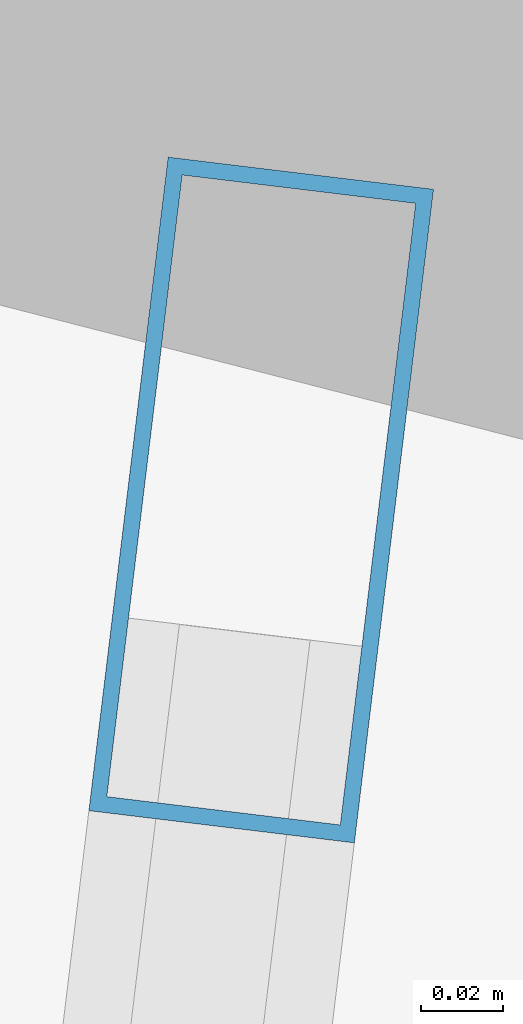
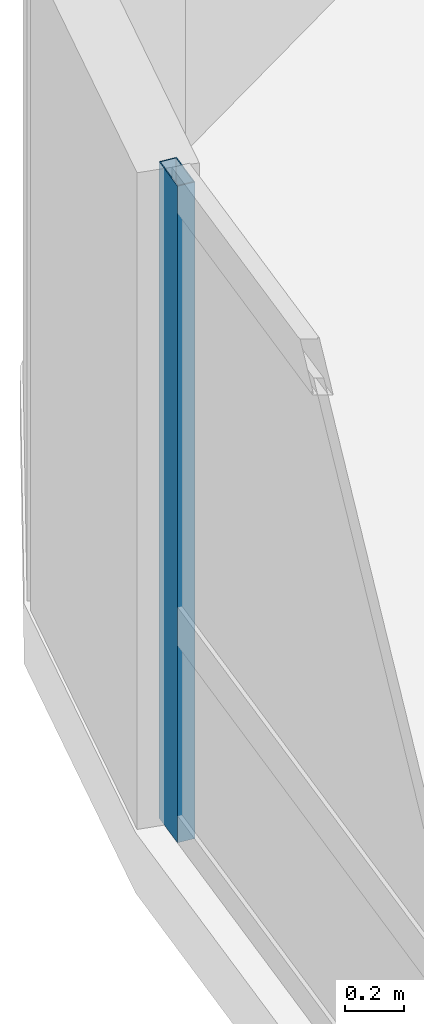
# One storey, part 12 of 26: 1 member, 1 element without a shape of its own.
"""IFC4 building model written with IfcOpenShell, lengths in metres."""

from ifc_helpers import new_model, si_unit, direction, frame, origin, origin_2d, place, context, subcontext, project, spatial, hollow_rectangle, extrude, material, layer, layer_set, material_profile, profile_set, type_object, element, aggregate, save


model = new_model("IFC4")

# Units and contexts
model_context = context("Model", 3, precision=1e-05, world=origin(), true_north=direction((0.0, 1.0)))
body_context = subcontext(model_context, "Body", "Model", "MODEL_VIEW")
ifc_project = project(units=[si_unit("LENGTHUNIT", "METRE"), si_unit("AREAUNIT", "SQUARE_METRE"), si_unit("VOLUMEUNIT", "CUBIC_METRE"), si_unit("PLANEANGLEUNIT", "RADIAN"), si_unit("MASSUNIT", "GRAM", prefix="KILO")], contexts=[model_context])

# Site, building, storey
site_placement = place(None, origin())
site = spatial("IfcSite", under=ifc_project, at=site_placement, CompositionType="ELEMENT")
building_placement = place(site_placement, origin())
building = spatial("IfcBuilding", under=site, at=building_placement, Name="Varnelok Gate Tower", CompositionType="ELEMENT")
storey_placement = place(building_placement, frame((0.0, 0.0, 125.39990234375)))
storey = spatial("IfcBuildingStorey", under=building, at=storey_placement, Name="L31", CompositionType="ELEMENT", Elevation=125.39990234375)

# Curtain wall, member
ifc_material = material(Name="Anodized Aluminum Alloy 6063-T6", Category="aluminium")
ifc_layer = layer(ifc_material, 0.179931640625)
ifc_layer_set = layer_set([ifc_layer], Name="Anodized Aluminum Alloy 6063-T6")
curtain_wall_type = type_object("IfcCurtainWallType", Name="CW3-HOTEL-VISION", PredefinedType="USERDEFINED", material=ifc_layer_set)
curtain_wall_placement = place(storey_placement, origin())
curtain_wall = element("IfcCurtainWall", 1, at=curtain_wall_placement, inside=storey, type_object=curtain_wall_type, Name="L31 West End Vision Curtain Wall", ObjectType="UNITISED CURTAIN WALL", PredefinedType="USERDEFINED")
ifc_material_profile = material_profile(ifc_material, hollow_rectangle(XDim=0.06494140625, YDim=0.159912109375, WallThickness=0.00390625, at=origin_2d()), Name="ALU160X65X4")
ifc_profile_set = profile_set([ifc_material_profile], Name="Anodized Aluminum Alloy 6063-T6")
member_type = type_object("IfcMemberType", Name="CW-MULL-160", PredefinedType="MULLION", material=ifc_profile_set)
member_placement = place(storey_placement, frame((4.57177734375, 47.596923828125, 0.0), z_axis=(0.0, 0.0, 1.0), x_axis=(-0.99273188146, 0.120347046212, 0.0)))
member = element("IfcMember", 2, at=member_placement, type_object=member_type, Name="CW3 mullion 6", PredefinedType="MULLION", context=body_context, shape_type="SweptSolid", body=[
    extrude(hollow_rectangle(XDim=0.06494140625, YDim=0.159912109375, WallThickness=0.00390625, at=origin_2d()), origin(), (0.0, 0.0, 1.0), 2.72998046875),
])
aggregate(curtain_wall, [member])

save(model, "model.ifc")
